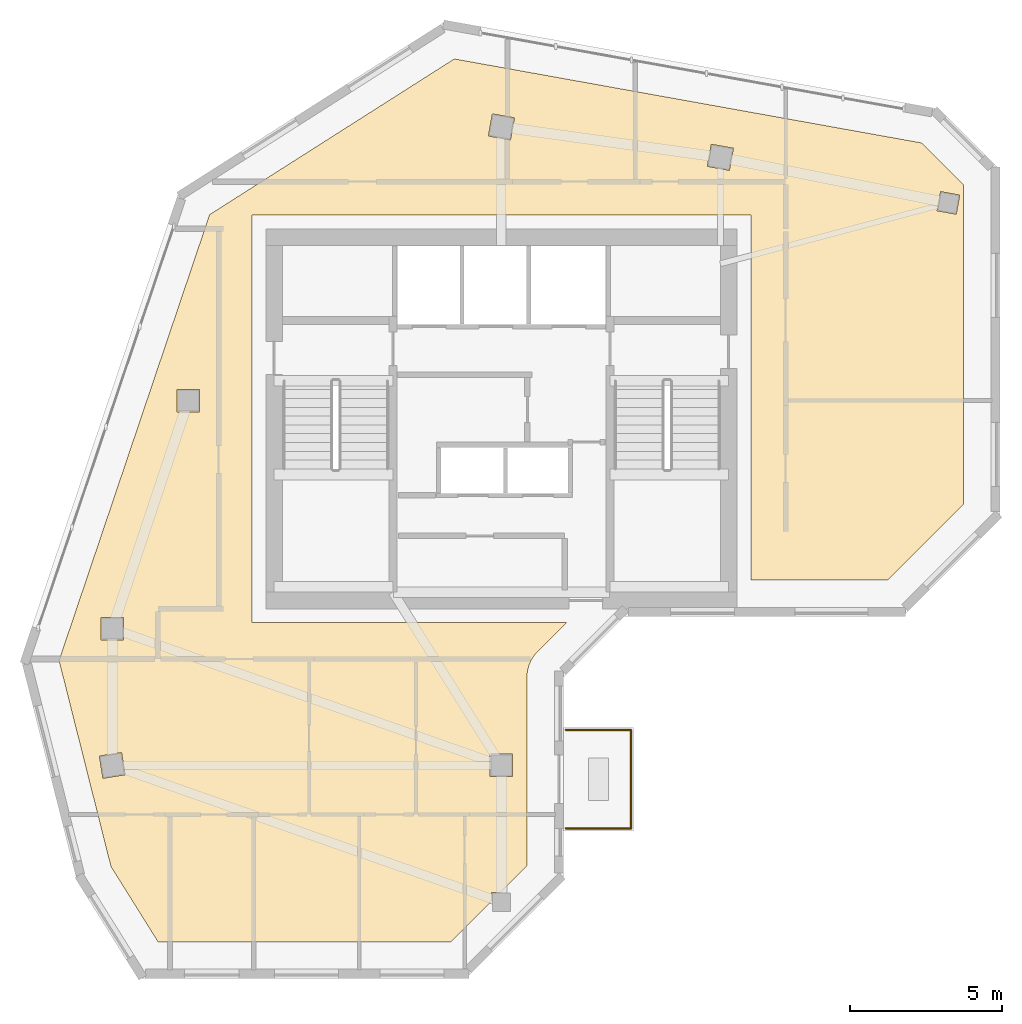
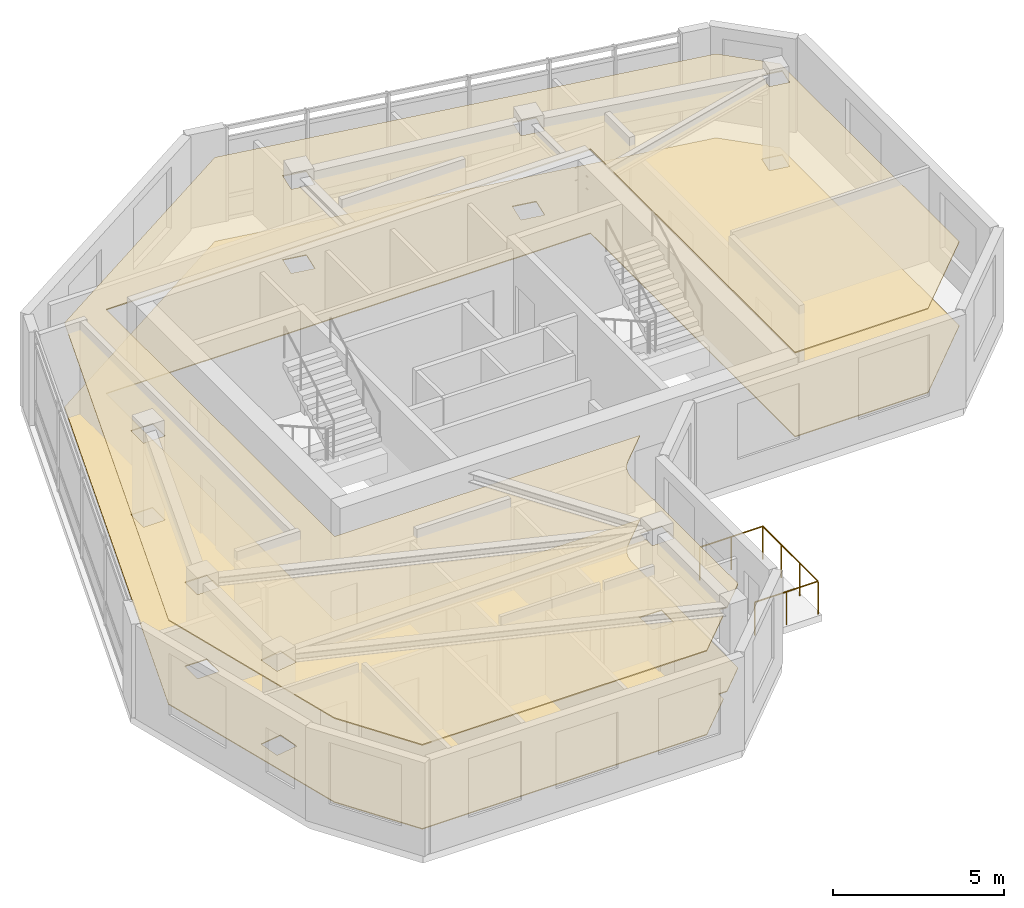
# One storey, part 6 of 7: 3 railings, 2 coverings.
"""IFC4 building model written with IfcOpenShell, lengths in metres."""

from ifc_helpers import new_model, si_unit, direction, frame, origin, origin_2d, place, context, subcontext, project, spatial, polyline, circle, outline, extrude, material, layer, layer_set, type_object, element, save


model = new_model("IFC4")

# Units and contexts
model_context = context("Model", 3, precision=1e-05, world=origin(), true_north=direction((0.0, 1.0)))
body_context = subcontext(model_context, "Body", "Model", "MODEL_VIEW")
ifc_project = project(units=[si_unit("LENGTHUNIT", "METRE"), si_unit("AREAUNIT", "SQUARE_METRE"), si_unit("VOLUMEUNIT", "CUBIC_METRE"), si_unit("PLANEANGLEUNIT", "RADIAN"), si_unit("MASSUNIT", "GRAM", prefix="KILO")], contexts=[model_context])

# Site, building, storey
site_placement = place(None, origin())
site = spatial("IfcSite", under=ifc_project, at=site_placement, CompositionType="ELEMENT")
building_placement = place(site_placement, origin())
building = spatial("IfcBuilding", under=site, at=building_placement, Name="Calvemar Wedge Station Tower", CompositionType="ELEMENT")
storey_placement = place(building_placement, frame((0.0, 0.0, 285.300048828125)))
storey = spatial("IfcBuildingStorey", under=building, at=storey_placement, Name="L73", CompositionType="ELEMENT", Elevation=285.300048828125)

# Coverings
ifc_material_1 = material(Name="Acoustic mineral fibre ceiling board")
ifc_layer_1 = layer(ifc_material_1, 0.0400390625)
ifc_layer_set_1 = layer_set([ifc_layer_1], Name="Acoustic mineral fibre ceiling board")
covering_type_1 = type_object("IfcCoveringType", Name="COV-CEIL-ACOUSTIC", PredefinedType="CEILING", material=ifc_layer_set_1)
covering_1_placement = place(storey_placement, frame((0.0, 0.0, 3.0)))
element("IfcCovering", 1, at=covering_1_placement, inside=storey, type_object=covering_type_1, Name="Storey L73 Acoustic Suspended Ceiling", PredefinedType="CEILING", context=body_context, shape_type="SweptSolid", body=[
    extrude(outline(polyline([(32.0, 46.60009765625), (32.0, 34.60009765625), (36.5029296875, 34.60009765625), (39.0, 37.09716796875), (39.0, 47.5908203125), (37.617431640625, 48.973388671875), (22.248779296875, 51.736083984375), (14.201416015625, 46.614990234375), (9.25, 31.95068359375), (10.95751953125, 25.176025390625), (12.505126953125, 22.699951171875), (22.142822265625, 22.699951171875), (23.47998046875, 24.037109375), (23.47998046875, 24.320068359375), (23.762939453125, 24.320068359375), (24.639892578125, 25.197021484375), (24.639892578125, 31.39990234375), (24.645751953125, 31.517578125), (24.6630859375, 31.634033203125), (24.691650390625, 31.748291015625), (24.731201171875, 31.859130859375), (24.78173828125, 31.9658203125), (24.84228515625, 32.066650390625), (24.912353515625, 32.161376953125), (24.991455078125, 32.24853515625), (25.94287109375, 33.199951171875), (15.60009765625, 33.199951171875), (15.60009765625, 46.60009765625), (32.0, 46.60009765625)]), holes=[polyline([(10.6298828125, 32.6298828125), (10.6298828125, 33.3701171875), (11.3701171875, 33.3701171875), (11.3701171875, 32.6298828125), (10.6298828125, 32.6298828125)]), polyline([(13.1298828125, 40.8701171875), (13.8701171875, 40.8701171875), (13.8701171875, 40.1298828125), (13.1298828125, 40.1298828125), (13.1298828125, 40.8701171875)]), polyline([(24.229736328125, 49.798583984375), (24.0986328125, 49.0703125), (23.370361328125, 49.201416015625), (23.50146484375, 49.9296875), (24.229736328125, 49.798583984375)]), polyline([(31.298583984375, 48.0703125), (30.5703125, 48.201416015625), (30.701416015625, 48.9296875), (31.4296875, 48.798583984375), (31.298583984375, 48.0703125)]), polyline([(38.12841796875, 46.74169921875), (38.24169921875, 47.37158203125), (38.87158203125, 47.25830078125), (38.75830078125, 46.62841796875), (38.12841796875, 46.74169921875)]), polyline([(11.306884765625, 28.923828125), (11.423828125, 28.193115234375), (10.693115234375, 28.076171875), (10.576171875, 28.806884765625), (11.306884765625, 28.923828125)]), polyline([(24.169921875, 28.8701171875), (24.169921875, 28.1298828125), (23.429931640625, 28.1298828125), (23.429931640625, 28.8701171875), (24.169921875, 28.8701171875)])]), origin(), (0.0, 0.0, 1.0), 0.0400390625),
])
ifc_material_2 = material(Name="Honed coastal granite stone tile", Category="masonry")
ifc_layer_2 = layer(ifc_material_2, 0.030029296875)
ifc_layer_set_2 = layer_set([ifc_layer_2], Name="Honed coastal granite stone tile")
covering_type_2 = type_object("IfcCoveringType", Name="COV-FLR-STONE", PredefinedType="FLOORING", material=ifc_layer_set_2)
covering_2_placement = place(storey_placement, origin())
element("IfcCovering", 2, at=covering_2_placement, inside=storey, type_object=covering_type_2, Name="Storey L73 Architectural Floor Finish", PredefinedType="FLOORING", context=body_context, shape_type="SweptSolid", body=[
    extrude(outline(polyline([(32.0, 46.60009765625), (32.0, 34.60009765625), (36.5029296875, 34.60009765625), (39.0, 37.09716796875), (39.0, 47.5908203125), (37.617431640625, 48.973388671875), (22.248779296875, 51.736083984375), (14.201416015625, 46.614990234375), (9.25, 31.95068359375), (10.95751953125, 25.176025390625), (12.505126953125, 22.699951171875), (22.142822265625, 22.699951171875), (23.47998046875, 24.037109375), (23.47998046875, 24.320068359375), (23.762939453125, 24.320068359375), (24.639892578125, 25.197021484375), (24.639892578125, 31.39990234375), (24.645751953125, 31.517578125), (24.6630859375, 31.634033203125), (24.691650390625, 31.748291015625), (24.731201171875, 31.859130859375), (24.78173828125, 31.9658203125), (24.84228515625, 32.066650390625), (24.912353515625, 32.161376953125), (24.991455078125, 32.24853515625), (25.94287109375, 33.199951171875), (15.60009765625, 33.199951171875), (15.60009765625, 46.60009765625), (32.0, 46.60009765625)]), holes=[polyline([(10.6298828125, 32.6298828125), (10.6298828125, 33.3701171875), (11.3701171875, 33.3701171875), (11.3701171875, 32.6298828125), (10.6298828125, 32.6298828125)]), polyline([(13.1298828125, 40.8701171875), (13.8701171875, 40.8701171875), (13.8701171875, 40.1298828125), (13.1298828125, 40.1298828125), (13.1298828125, 40.8701171875)]), polyline([(24.229736328125, 49.798583984375), (24.0986328125, 49.0703125), (23.370361328125, 49.201416015625), (23.50146484375, 49.9296875), (24.229736328125, 49.798583984375)]), polyline([(31.298583984375, 48.0703125), (30.5703125, 48.201416015625), (30.701416015625, 48.9296875), (31.4296875, 48.798583984375), (31.298583984375, 48.0703125)]), polyline([(38.12841796875, 46.74169921875), (38.24169921875, 47.37158203125), (38.87158203125, 47.25830078125), (38.75830078125, 46.62841796875), (38.12841796875, 46.74169921875)]), polyline([(11.306884765625, 28.923828125), (11.423828125, 28.193115234375), (10.693115234375, 28.076171875), (10.576171875, 28.806884765625), (11.306884765625, 28.923828125)]), polyline([(24.169921875, 28.8701171875), (24.169921875, 28.1298828125), (23.429931640625, 28.1298828125), (23.429931640625, 28.8701171875), (24.169921875, 28.8701171875)])]), origin(), (0.0, 0.0, 1.0), 0.030029296875),
])

# Railings
ifc_material_3 = material(Name="Stainless steel AISI 316L", Category="steel")
railing_type = type_object("IfcRailingType", Name="GRD-TERR-1200", PredefinedType="GUARDRAIL", material=ifc_material_3)
railing_1_placement = place(storey_placement, frame((25.919921875, 29.669921875, 0.0)))
element("IfcRailing", 3, at=railing_1_placement, inside=storey, type_object=railing_type, Name="Storey L73 Spiral Terrace Guard 2", PredefinedType="GUARDRAIL", context=body_context, shape_type="SweptSolid", body=[
    extrude(circle(Radius=0.02392578125, at=origin_2d()), frame((0.0, 0.0, 1.17578125), z_axis=(1.0, 0.0, 0.0), x_axis=(0.0, 1.0, 0.0)), (0.0, 0.0, 1.0), 2.14013671875),
    extrude(circle(Radius=0.02099609375, at=origin_2d()), origin(), (0.0, 0.0, 1.0), 1.15185546875),
    extrude(circle(Radius=0.02099609375, at=origin_2d()), frame((1.070068359375, 0.0, 0.0)), (0.0, 0.0, 1.0), 1.15185546875),
    extrude(circle(Radius=0.02099609375, at=origin_2d()), frame((2.14013671875, 0.0, 0.0)), (0.0, 0.0, 1.0), 1.15185546875),
])
railing_2_placement = place(storey_placement, frame((28.06005859375, 29.669921875, 0.0)))
element("IfcRailing", 4, at=railing_2_placement, inside=storey, type_object=railing_type, Name="Storey L73 Spiral Terrace Guard 3", PredefinedType="GUARDRAIL", context=body_context, shape_type="SweptSolid", body=[
    extrude(circle(Radius=0.02392578125, at=origin_2d()), frame((0.0, 0.0, 1.17578125), z_axis=(0.0, -1.0, 0.0), x_axis=(1.0, 0.0, 0.0)), (0.0, 0.0, 1.0), 3.239990234375),
    extrude(circle(Radius=0.02099609375, at=origin_2d()), origin(), (0.0, 0.0, 1.0), 1.15185546875),
    extrude(circle(Radius=0.02099609375, at=origin_2d()), frame((0.0, -1.080078125, 0.0)), (0.0, 0.0, 1.0), 1.15185546875),
    extrude(circle(Radius=0.02099609375, at=origin_2d()), frame((0.0, -2.159912109375, 0.0)), (0.0, 0.0, 1.0), 1.15185546875),
    extrude(circle(Radius=0.02099609375, at=origin_2d()), frame((0.0, -3.239990234375, 0.0)), (0.0, 0.0, 1.0), 1.15185546875),
])
railing_3_placement = place(storey_placement, frame((28.06005859375, 26.429931640625, 0.0)))
element("IfcRailing", 5, at=railing_3_placement, inside=storey, type_object=railing_type, Name="Storey L73 Spiral Terrace Guard 4", PredefinedType="GUARDRAIL", context=body_context, shape_type="SweptSolid", body=[
    extrude(circle(Radius=0.02392578125, at=origin_2d()), frame((0.0, 0.0, 1.17578125), z_axis=(-1.0, 0.0, 0.0), x_axis=(0.0, -1.0, 0.0)), (0.0, 0.0, 1.0), 2.14013671875),
    extrude(circle(Radius=0.02099609375, at=origin_2d()), origin(), (0.0, 0.0, 1.0), 1.15185546875),
    extrude(circle(Radius=0.02099609375, at=origin_2d()), frame((-1.070068359375, 0.0, 0.0)), (0.0, 0.0, 1.0), 1.15185546875),
    extrude(circle(Radius=0.02099609375, at=origin_2d()), frame((-2.14013671875, 0.0, 0.0)), (0.0, 0.0, 1.0), 1.15185546875),
])

save(model, "model.ifc")
